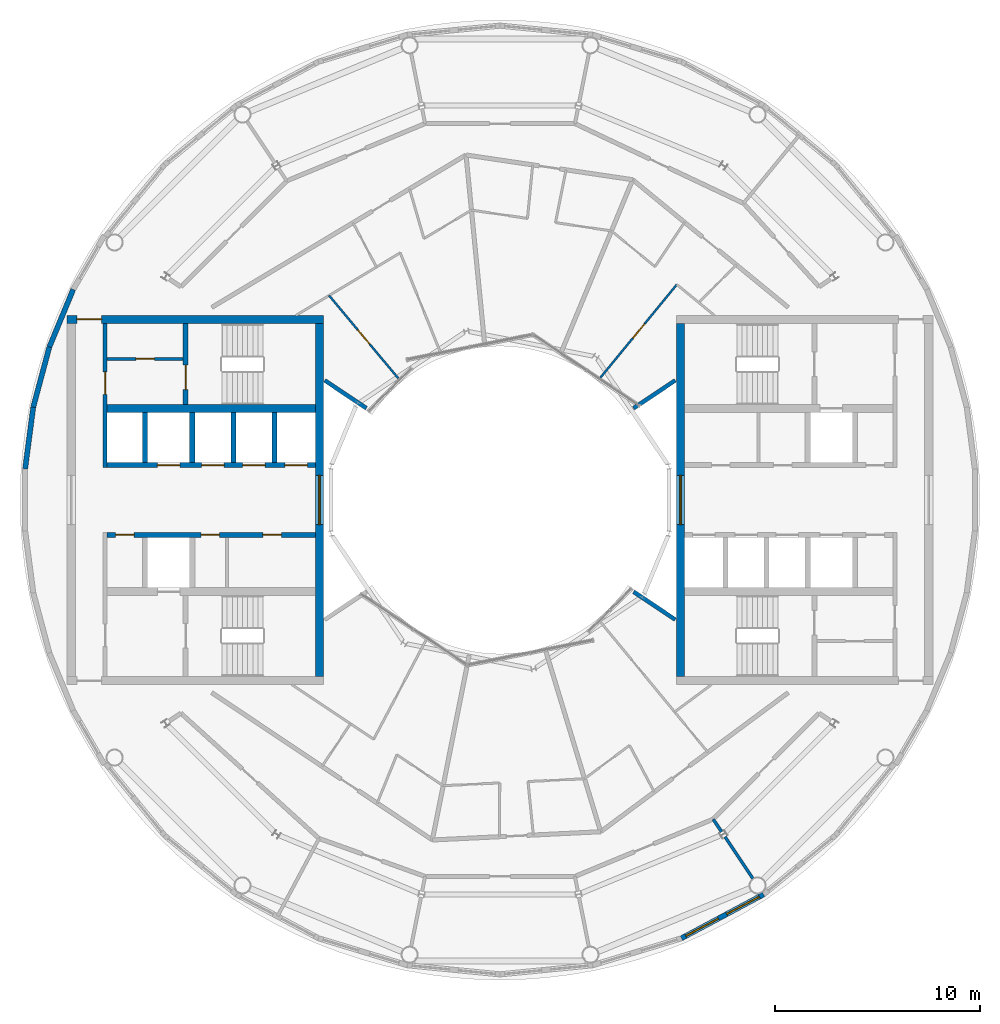
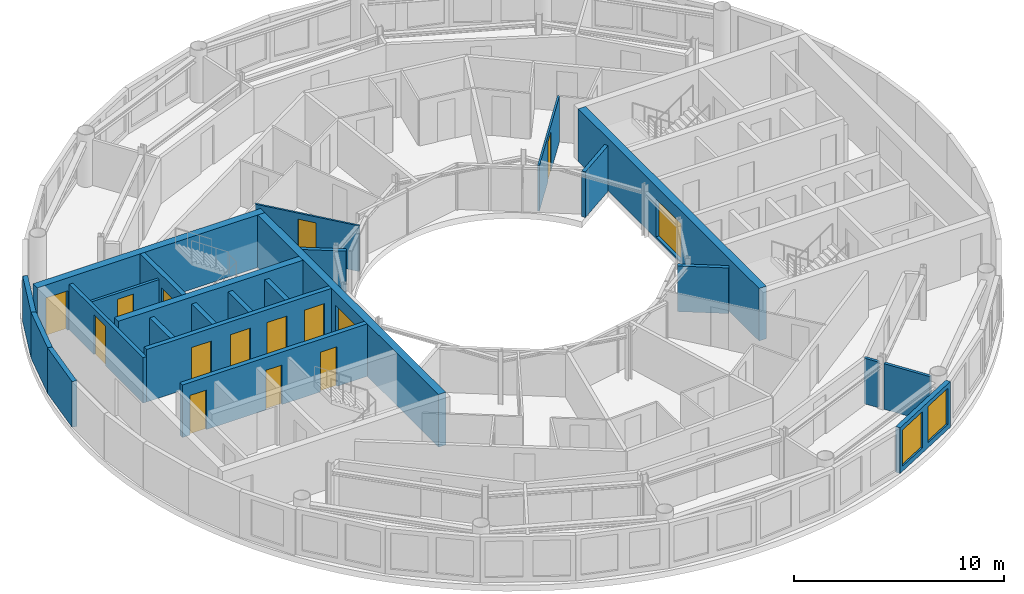
# One storey, part 10 of 17: 24 walls, 13 doors, 4 windows, 17 openings.
"""IFC4 building model written with IfcOpenShell, lengths in metres."""

from ifc_helpers import new_model, si_unit, direction, frame, frame_2d, origin, place, context, subcontext, project, spatial, rectangle, extrude, material, layer, layer_set, type_object, element, fill, save


model = new_model("IFC4")

# Units and contexts
model_context = context("Model", 3, precision=1e-05, world=origin(), true_north=direction((0.0, 1.0)))
body_context = subcontext(model_context, "Body", "Model", "MODEL_VIEW")
ifc_project = project(units=[si_unit("LENGTHUNIT", "METRE"), si_unit("AREAUNIT", "SQUARE_METRE"), si_unit("VOLUMEUNIT", "CUBIC_METRE"), si_unit("PLANEANGLEUNIT", "RADIAN"), si_unit("MASSUNIT", "GRAM", prefix="KILO")], contexts=[model_context])

# Site, building, storey
site_placement = place(None, origin())
site = spatial("IfcSite", under=ifc_project, at=site_placement, CompositionType="ELEMENT")
building_placement = place(site_placement, origin())
building = spatial("IfcBuilding", under=site, at=building_placement, Name="Maasbend Ring Residences", CompositionType="ELEMENT")
storey_placement = place(building_placement, frame((0.0, 0.0, 252.35009765625)))
storey = spatial("IfcBuildingStorey", under=building, at=storey_placement, Name="L73", CompositionType="ELEMENT", Elevation=252.35009765625)

# Wall, openings, doors
ifc_material_1 = material(Name="Concrete C50/60", Category="concrete")
ifc_layer_1 = layer(ifc_material_1, 0.25)
ifc_layer_set_1 = layer_set([ifc_layer_1], Name="Concrete C50/60")
wall_type_1 = type_object("IfcWallType", Name="CORE WALL 250 C50/60", PredefinedType="SHEAR", material=ifc_layer_set_1)
wall_1_placement = place(storey_placement, frame((-9.0, -1.699951171875, 0.0), z_axis=(0.0, 0.0, 1.0), x_axis=(-1.0, 0.0, 0.0)))
wall_1 = element("IfcWall", 1, at=wall_1_placement, inside=storey, type_object=wall_type_1, Name="L73 core W wall SPN", PredefinedType="SHEAR", context=body_context, shape_type="SweptSolid", body=[
    extrude(rectangle(XDim=10.14990234375, YDim=0.25, at=frame_2d((5.074951171875, 0.0))), origin(), (0.0, 0.0, 1.0), 3.0498046875),
])
opening_1_placement = place(wall_1_placement, frame((1.66259765625, 0.0, 0.0)))
opening_1 = element("IfcOpeningElement", 2, at=opening_1_placement, cuts=wall_1, Name="Opening D-W7306", PredefinedType="OPENING", context=body_context, shape_type="SweptSolid", body=[
    extrude(rectangle(XDim=0.89990234375, YDim=2.300048828125, at=frame_2d((0.449951171875, 1.14990234375))), frame((0.0, 0.135009765625, 0.0), z_axis=(0.0, -1.0, 0.0), x_axis=(1.0, 0.0, 0.0)), (0.0, 0.0, 1.0), 0.27001953125),
])
opening_2_placement = place(wall_1_placement, frame((4.675048828125, 0.0, 0.0)))
opening_2 = element("IfcOpeningElement", 3, at=opening_2_placement, cuts=wall_1, Name="Opening D-W7307", PredefinedType="OPENING", context=body_context, shape_type="SweptSolid", body=[
    extrude(rectangle(XDim=0.89990234375, YDim=2.300048828125, at=frame_2d((0.449951171875, 1.14990234375))), frame((0.0, 0.135009765625, 0.0), z_axis=(0.0, -1.0, 0.0), x_axis=(1.0, 0.0, 0.0)), (0.0, 0.0, 1.0), 0.27001953125),
])
opening_3_placement = place(wall_1_placement, frame((8.83740234375, 0.0, 0.0)))
opening_3 = element("IfcOpeningElement", 4, at=opening_3_placement, cuts=wall_1, Name="Opening D-W7308", PredefinedType="OPENING", context=body_context, shape_type="SweptSolid", body=[
    extrude(rectangle(XDim=0.89990234375, YDim=2.300048828125, at=frame_2d((0.449951171875, 1.14990234375))), frame((0.0, 0.135009765625, 0.0), z_axis=(0.0, -1.0, 0.0), x_axis=(1.0, 0.0, 0.0)), (0.0, 0.0, 1.0), 0.27001953125),
])
ifc_material_2 = material(Name="Steel, powder coated", Category="steel")
door_type_1 = type_object("IfcDoorType", Name="ROOM DOOR 900 X 2300 FD30S", OperationType="NOTDEFINED", PredefinedType="DOOR", material=ifc_material_2)
door_1_placement = place(opening_1_placement, origin())
door_1 = element("IfcDoor", 5, at=door_1_placement, inside=storey, type_object=door_type_1, Name="Room door L73", OperationType="SINGLE_SWING_RIGHT", OverallHeight=2.300048828125, OverallWidth=0.89990234375, PredefinedType="DOOR", context=body_context, shape_type="SweptSolid", body=[
    extrude(rectangle(XDim=0.89990234375, YDim=2.300048828125, at=frame_2d((0.449951171875, 1.14990234375))), frame((0.0, 0.02490234375, 0.0), z_axis=(0.0, -1.0, 0.0), x_axis=(1.0, 0.0, 0.0)), (0.0, 0.0, 1.0), 0.050048828125),
])
fill(opening_1, door_1)
door_2_placement = place(opening_2_placement, origin())
door_2 = element("IfcDoor", 6, at=door_2_placement, inside=storey, type_object=door_type_1, Name="Room door L73", OperationType="SINGLE_SWING_LEFT", OverallHeight=2.300048828125, OverallWidth=0.89990234375, PredefinedType="DOOR", context=body_context, shape_type="SweptSolid", body=[
    extrude(rectangle(XDim=0.89990234375, YDim=2.300048828125, at=frame_2d((0.449951171875, 1.14990234375))), frame((0.0, 0.02490234375, 0.0), z_axis=(0.0, -1.0, 0.0), x_axis=(1.0, 0.0, 0.0)), (0.0, 0.0, 1.0), 0.050048828125),
])
fill(opening_2, door_2)
door_3_placement = place(opening_3_placement, origin())
door_3 = element("IfcDoor", 7, at=door_3_placement, inside=storey, type_object=door_type_1, Name="Room door L73", OperationType="SINGLE_SWING_LEFT", OverallHeight=2.300048828125, OverallWidth=0.89990234375, PredefinedType="DOOR", context=body_context, shape_type="SweptSolid", body=[
    extrude(rectangle(XDim=0.89990234375, YDim=2.300048828125, at=frame_2d((0.449951171875, 1.14990234375))), frame((0.0, 0.02490234375, 0.0), z_axis=(0.0, -1.0, 0.0), x_axis=(1.0, 0.0, 0.0)), (0.0, 0.0, 1.0), 0.050048828125),
])
fill(opening_3, door_3)

wall_2_placement = place(storey_placement, frame((-9.0, 1.699951171875, 0.0), z_axis=(0.0, 0.0, 1.0), x_axis=(-1.0, 0.0, 0.0)))
wall_2 = element("IfcWall", 8, at=wall_2_placement, inside=storey, type_object=wall_type_1, Name="L73 core W wall SPS", PredefinedType="SHEAR", context=body_context, shape_type="SweptSolid", body=[
    extrude(rectangle(XDim=10.14990234375, YDim=0.25, at=frame_2d((5.074951171875, 0.0))), origin(), (0.0, 0.0, 1.0), 3.0498046875),
])
opening_4_placement = place(wall_2_placement, frame((0.387451171875, 0.0, 0.0)))
opening_4 = element("IfcOpeningElement", 9, at=opening_4_placement, cuts=wall_2, Name="Opening LD-W7302", PredefinedType="OPENING", context=body_context, shape_type="SweptSolid", body=[
    extrude(rectangle(XDim=1.10009765625, YDim=2.300048828125, at=frame_2d((0.550048828125, 1.14990234375))), frame((0.0, 0.135009765625, 0.0), z_axis=(0.0, -1.0, 0.0), x_axis=(1.0, 0.0, 0.0)), (0.0, 0.0, 1.0), 0.27001953125),
])
opening_5_placement = place(wall_2_placement, frame((2.449951171875, 0.0, 0.0)))
opening_5 = element("IfcOpeningElement", 10, at=opening_5_placement, cuts=wall_2, Name="Opening LD-W7303", PredefinedType="OPENING", context=body_context, shape_type="SweptSolid", body=[
    extrude(rectangle(XDim=1.10009765625, YDim=2.300048828125, at=frame_2d((0.550048828125, 1.14990234375))), frame((0.0, 0.135009765625, 0.0), z_axis=(0.0, -1.0, 0.0), x_axis=(1.0, 0.0, 0.0)), (0.0, 0.0, 1.0), 0.27001953125),
])
opening_6_placement = place(wall_2_placement, frame((4.449951171875, 0.0, 0.0)))
opening_6 = element("IfcOpeningElement", 11, at=opening_6_placement, cuts=wall_2, Name="Opening LD-W7304", PredefinedType="OPENING", context=body_context, shape_type="SweptSolid", body=[
    extrude(rectangle(XDim=1.10009765625, YDim=2.300048828125, at=frame_2d((0.550048828125, 1.14990234375))), frame((0.0, 0.135009765625, 0.0), z_axis=(0.0, -1.0, 0.0), x_axis=(1.0, 0.0, 0.0)), (0.0, 0.0, 1.0), 0.27001953125),
])
opening_7_placement = place(wall_2_placement, frame((6.60009765625, 0.0, 0.0)))
opening_7 = element("IfcOpeningElement", 12, at=opening_7_placement, cuts=wall_2, Name="Opening LD-W7305", PredefinedType="OPENING", context=body_context, shape_type="SweptSolid", body=[
    extrude(rectangle(XDim=1.10009765625, YDim=2.300048828125, at=frame_2d((0.550048828125, 1.14990234375))), frame((0.0, 0.135009765625, 0.0), z_axis=(0.0, -1.0, 0.0), x_axis=(1.0, 0.0, 0.0)), (0.0, 0.0, 1.0), 0.27001953125),
])
ifc_material_3 = material(Name="Stainless steel 316", Category="steel")
door_type_2 = type_object("IfcDoorType", Name="LANDING DOOR 1100 X 2300 FD60", OperationType="DOUBLE_DOOR_SLIDING", PredefinedType="DOOR", material=ifc_material_3)
door_4_placement = place(opening_4_placement, origin())
door_4 = element("IfcDoor", 13, at=door_4_placement, inside=storey, type_object=door_type_2, Name="Landing door HR-W1 L73", OperationType="DOUBLE_DOOR_SLIDING", OverallHeight=2.300048828125, OverallWidth=1.10009765625, PredefinedType="DOOR", context=body_context, shape_type="SweptSolid", body=[
    extrude(rectangle(XDim=1.10009765625, YDim=2.300048828125, at=frame_2d((0.550048828125, 1.14990234375))), frame((0.0, 0.02490234375, 0.0), z_axis=(0.0, -1.0, 0.0), x_axis=(1.0, 0.0, 0.0)), (0.0, 0.0, 1.0), 0.050048828125),
])
fill(opening_4, door_4)
door_5_placement = place(opening_5_placement, origin())
door_5 = element("IfcDoor", 14, at=door_5_placement, inside=storey, type_object=door_type_2, Name="Landing door HR-W2 L73", OperationType="DOUBLE_DOOR_SLIDING", OverallHeight=2.300048828125, OverallWidth=1.10009765625, PredefinedType="DOOR", context=body_context, shape_type="SweptSolid", body=[
    extrude(rectangle(XDim=1.10009765625, YDim=2.300048828125, at=frame_2d((0.550048828125, 1.14990234375))), frame((0.0, 0.02490234375, 0.0), z_axis=(0.0, -1.0, 0.0), x_axis=(1.0, 0.0, 0.0)), (0.0, 0.0, 1.0), 0.050048828125),
])
fill(opening_5, door_5)
door_6_placement = place(opening_6_placement, origin())
door_6 = element("IfcDoor", 15, at=door_6_placement, inside=storey, type_object=door_type_2, Name="Landing door HR-W3 L73", OperationType="DOUBLE_DOOR_SLIDING", OverallHeight=2.300048828125, OverallWidth=1.10009765625, PredefinedType="DOOR", context=body_context, shape_type="SweptSolid", body=[
    extrude(rectangle(XDim=1.10009765625, YDim=2.300048828125, at=frame_2d((0.550048828125, 1.14990234375))), frame((0.0, 0.02490234375, 0.0), z_axis=(0.0, -1.0, 0.0), x_axis=(1.0, 0.0, 0.0)), (0.0, 0.0, 1.0), 0.050048828125),
])
fill(opening_6, door_6)
door_7_placement = place(opening_7_placement, origin())
door_7 = element("IfcDoor", 16, at=door_7_placement, inside=storey, type_object=door_type_2, Name="Landing door SV-W L73", OperationType="DOUBLE_DOOR_SLIDING", OverallHeight=2.300048828125, OverallWidth=1.10009765625, PredefinedType="DOOR", context=body_context, shape_type="SweptSolid", body=[
    extrude(rectangle(XDim=1.10009765625, YDim=2.300048828125, at=frame_2d((0.550048828125, 1.14990234375))), frame((0.0, 0.02490234375, 0.0), z_axis=(0.0, -1.0, 0.0), x_axis=(1.0, 0.0, 0.0)), (0.0, 0.0, 1.0), 0.050048828125),
])
fill(opening_7, door_7)

# Wall, opening, door
wall_3_placement = place(storey_placement, frame((-15.324951171875, 8.60009765625, 0.0), z_axis=(0.0, 0.0, 1.0), x_axis=(0.0, -1.0, 0.0)))
wall_3 = element("IfcWall", 17, at=wall_3_placement, inside=storey, type_object=wall_type_1, Name="L73 core W wall STES", PredefinedType="SHEAR", context=body_context, shape_type="SweptSolid", body=[
    extrude(rectangle(XDim=3.9501953125, YDim=0.25, at=frame_2d((1.97509765625, 0.0))), origin(), (0.0, 0.0, 1.0), 3.0498046875),
])
opening_8_placement = place(wall_3_placement, frame((2.02490234375, 0.0, 0.0)))
opening_8 = element("IfcOpeningElement", 18, at=opening_8_placement, cuts=wall_3, Name="Opening D-W7311", PredefinedType="OPENING", context=body_context, shape_type="SweptSolid", body=[
    extrude(rectangle(XDim=1.199951171875, YDim=2.300048828125, at=frame_2d((0.60009765625, 1.14990234375))), frame((0.0, 0.135009765625, 0.0), z_axis=(0.0, -1.0, 0.0), x_axis=(1.0, 0.0, 0.0)), (0.0, 0.0, 1.0), 0.27001953125),
])
ifc_material_4 = material(Name="Steel, powder coated", Category="steel")
door_type_3 = type_object("IfcDoorType", Name="STAIR DOOR 1200 X 2300 FD60", OperationType="NOTDEFINED", PredefinedType="DOOR", material=ifc_material_4)
door_8_placement = place(opening_8_placement, origin())
door_8 = element("IfcDoor", 19, at=door_8_placement, inside=storey, type_object=door_type_3, Name="Stair door ST-W L73", OperationType="SINGLE_SWING_LEFT", OverallHeight=2.300048828125, OverallWidth=1.199951171875, PredefinedType="DOOR", context=body_context, shape_type="SweptSolid", body=[
    extrude(rectangle(XDim=1.199951171875, YDim=2.300048828125, at=frame_2d((0.60009765625, 1.14990234375))), frame((0.0, 0.02490234375, 0.0), z_axis=(0.0, -1.0, 0.0), x_axis=(1.0, 0.0, 0.0)), (0.0, 0.0, 1.0), 0.050048828125),
])
fill(opening_8, door_8)

# Wall
ifc_material_5 = material(Name="Concrete C50/60", Category="concrete")
ifc_layer_2 = layer(ifc_material_5, 0.375)
ifc_layer_set_2 = layer_set([ifc_layer_2], Name="Concrete C50/60")
wall_type_2 = type_object("IfcWallType", Name="CORE WALL 375 C50/60", PredefinedType="SHEAR", material=ifc_layer_set_2)
wall_4_placement = place(storey_placement, frame((-9.0, 4.46240234375, 0.0), z_axis=(0.0, 0.0, 1.0), x_axis=(-1.0, 0.0, 0.0)))
element("IfcWall", 20, at=wall_4_placement, inside=storey, type_object=wall_type_2, Name="L73 core W wall BS", PredefinedType="SHEAR", context=body_context, shape_type="SweptSolid", body=[
    extrude(rectangle(XDim=10.14990234375, YDim=0.375, at=frame_2d((5.074951171875, 0.0))), origin(), (0.0, 0.0, 1.0), 3.0498046875),
])

# Wall, opening, window
ifc_material_6 = material(Name="Concrete C50/60", Category="concrete")
ifc_layer_3 = layer(ifc_material_6, 0.39990234375)
ifc_layer_set_3 = layer_set([ifc_layer_3], Name="Concrete C50/60")
wall_type_3 = type_object("IfcWallType", Name="CORE WALL 400 C50/60", PredefinedType="SHEAR", material=ifc_layer_set_3)
wall_5_placement = place(storey_placement, frame((8.800048828125, -8.60009765625, 0.0), z_axis=(0.0, 0.0, 1.0), x_axis=(0.0, 1.0, 0.0)))
wall_5 = element("IfcWall", 21, at=wall_5_placement, inside=storey, type_object=wall_type_3, Name="L73 core E wall PIN", PredefinedType="SHEAR", context=body_context, shape_type="SweptSolid", body=[
    extrude(rectangle(XDim=17.2001953125, YDim=0.39990234375, at=frame_2d((8.60009765625, 0.0))), origin(), (0.0, 0.0, 1.0), 3.0498046875),
])
opening_9_placement = place(wall_5_placement, frame((7.39990234375, 0.0, 0.10009765625)))
opening_9 = element("IfcOpeningElement", 22, at=opening_9_placement, cuts=wall_5, Name="Opening W-E7301", PredefinedType="OPENING", context=body_context, shape_type="SweptSolid", body=[
    extrude(rectangle(XDim=2.39990234375, YDim=2.199951171875, at=frame_2d((1.199951171875, 1.10009765625))), frame((0.0, 0.2099609375, 0.0), z_axis=(0.0, -1.0, 0.0), x_axis=(1.0, 0.0, 0.0)), (0.0, 0.0, 1.0), 0.419921875),
])
ifc_material_7 = material(Name="Aluminium frame and clear glass", Category="aluminium")
window_type_1 = type_object("IfcWindowType", Name="FIXED WINDOW 2400 X 2200", PartitioningType="SINGLE_PANEL", PredefinedType="WINDOW", material=ifc_material_7)
window_1_placement = place(opening_9_placement, origin())
window_1 = element("IfcWindow", 23, at=window_1_placement, inside=storey, type_object=window_type_1, Name="Lobby window L73", OverallHeight=2.199951171875, OverallWidth=2.39990234375, PartitioningType="SINGLE_PANEL", PredefinedType="WINDOW", context=body_context, shape_type="SweptSolid", body=[
    extrude(rectangle(XDim=2.39990234375, YDim=2.199951171875, at=frame_2d((1.199951171875, 1.10009765625))), frame((0.0, 0.030029296875, 0.0), z_axis=(0.0, -1.0, 0.0), x_axis=(1.0, 0.0, 0.0)), (0.0, 0.0, 1.0), 0.06005859375),
])
fill(opening_9, window_1)

# Wall, opening, door
wall_6_placement = place(storey_placement, frame((-8.60009765625, 8.800048828125, 0.0), z_axis=(0.0, 0.0, 1.0), x_axis=(-1.0, 0.0, 0.0)))
wall_6 = element("IfcWall", 24, at=wall_6_placement, inside=storey, type_object=wall_type_3, Name="L73 core W wall PS", PredefinedType="SHEAR", context=body_context, shape_type="SweptSolid", body=[
    extrude(rectangle(XDim=12.5, YDim=0.39990234375, at=frame_2d((6.25, 0.0))), origin(), (0.0, 0.0, 1.0), 3.0498046875),
])
opening_10_placement = place(wall_6_placement, frame((10.824951171875, 0.0, 0.0)))
opening_10 = element("IfcOpeningElement", 25, at=opening_10_placement, cuts=wall_6, Name="Opening D-W7315", PredefinedType="OPENING", context=body_context, shape_type="SweptSolid", body=[
    extrude(rectangle(XDim=1.199951171875, YDim=2.300048828125, at=frame_2d((0.60009765625, 1.14990234375))), frame((0.0, 0.2099609375, 0.0), z_axis=(0.0, -1.0, 0.0), x_axis=(1.0, 0.0, 0.0)), (0.0, 0.0, 1.0), 0.419921875),
])
ifc_material_8 = material(Name="Steel, powder coated", Category="steel")
door_type_4 = type_object("IfcDoorType", Name="CORRIDOR DOOR 1200 X 2300 FD30S", OperationType="NOTDEFINED", PredefinedType="DOOR", material=ifc_material_8)
door_9_placement = place(opening_10_placement, origin())
door_9 = element("IfcDoor", 26, at=door_9_placement, inside=storey, type_object=door_type_4, Name="Corridor door L73", OperationType="SINGLE_SWING_LEFT", OverallHeight=2.300048828125, OverallWidth=1.199951171875, PredefinedType="DOOR", context=body_context, shape_type="SweptSolid", body=[
    extrude(rectangle(XDim=1.199951171875, YDim=2.300048828125, at=frame_2d((0.60009765625, 1.14990234375))), frame((0.0, 0.02490234375, 0.0), z_axis=(0.0, -1.0, 0.0), x_axis=(1.0, 0.0, 0.0)), (0.0, 0.0, 1.0), 0.050048828125),
])
fill(opening_10, door_9)

# Wall, opening, window
wall_7_placement = place(storey_placement, frame((-8.800048828125, 8.60009765625, 0.0), z_axis=(0.0, 0.0, 1.0), x_axis=(0.0, -1.0, 0.0)))
wall_7 = element("IfcWall", 27, at=wall_7_placement, inside=storey, type_object=wall_type_3, Name="L73 core W wall PIN", PredefinedType="SHEAR", context=body_context, shape_type="SweptSolid", body=[
    extrude(rectangle(XDim=17.2001953125, YDim=0.39990234375, at=frame_2d((8.60009765625, 0.0))), origin(), (0.0, 0.0, 1.0), 3.0498046875),
])
opening_11_placement = place(wall_7_placement, frame((7.39990234375, 0.0, 0.10009765625)))
opening_11 = element("IfcOpeningElement", 28, at=opening_11_placement, cuts=wall_7, Name="Opening W-W7301", PredefinedType="OPENING", context=body_context, shape_type="SweptSolid", body=[
    extrude(rectangle(XDim=2.39990234375, YDim=2.199951171875, at=frame_2d((1.199951171875, 1.10009765625))), frame((0.0, 0.2099609375, 0.0), z_axis=(0.0, -1.0, 0.0), x_axis=(1.0, 0.0, 0.0)), (0.0, 0.0, 1.0), 0.419921875),
])
window_2_placement = place(opening_11_placement, origin())
window_2 = element("IfcWindow", 29, at=window_2_placement, inside=storey, type_object=window_type_1, Name="Lobby window L73", OverallHeight=2.199951171875, OverallWidth=2.39990234375, PartitioningType="SINGLE_PANEL", PredefinedType="WINDOW", context=body_context, shape_type="SweptSolid", body=[
    extrude(rectangle(XDim=2.39990234375, YDim=2.199951171875, at=frame_2d((1.199951171875, 1.10009765625))), frame((0.0, 0.030029296875, 0.0), z_axis=(0.0, -1.0, 0.0), x_axis=(1.0, 0.0, 0.0)), (0.0, 0.0, 1.0), 0.06005859375),
])
fill(opening_11, window_2)

# Wall, openings, windows
ifc_material_9 = material(Name="Aluminium clad insulated panel", Category="aluminium")
ifc_layer_4 = layer(ifc_material_9, 0.25)
ifc_layer_set_4 = layer_set([ifc_layer_4], Name="EW-GL")
wall_type_4 = type_object("IfcWallType", Name="EW-GL", PredefinedType="SOLIDWALL", material=ifc_layer_set_4)
wall_8_placement = place(storey_placement, frame((8.85009765625, -21.364990234375, 0.0), z_axis=(0.0, 0.0, 1.0), x_axis=(0.881912752543, 0.471412660947, 0.0)))
wall_8 = element("IfcWall", 30, at=wall_8_placement, inside=storey, type_object=wall_type_4, Name="External wall S08", PredefinedType="SOLIDWALL", context=body_context, shape_type="SweptSolid", body=[
    extrude(rectangle(XDim=4.533203125, YDim=0.25, at=frame_2d((2.2666015625, 0.0))), origin(), (0.0, 0.0, 1.0), 2.64990234375),
])
opening_12_placement = place(wall_8_placement, frame((0.236083984375, 0.0, 0.300048828125)))
opening_12 = element("IfcOpeningElement", 31, at=opening_12_placement, cuts=wall_8, Name="Opening W-BX", PredefinedType="OPENING", context=body_context, shape_type="SweptSolid", body=[
    extrude(rectangle(XDim=1.800048828125, YDim=2.10009765625, at=frame_2d((0.89990234375, 1.050048828125))), frame((0.0, 0.135009765625, 0.0), z_axis=(0.0, -1.0, 0.0), x_axis=(1.0, 0.0, 0.0)), (0.0, 0.0, 1.0), 0.27001953125),
])
opening_13_placement = place(wall_8_placement, frame((2.497314453125, 0.0, 0.300048828125)))
opening_13 = element("IfcOpeningElement", 32, at=opening_13_placement, cuts=wall_8, Name="Opening W-BX", PredefinedType="OPENING", context=body_context, shape_type="SweptSolid", body=[
    extrude(rectangle(XDim=1.800048828125, YDim=2.10009765625, at=frame_2d((0.89990234375, 1.050048828125))), frame((0.0, 0.135009765625, 0.0), z_axis=(0.0, -1.0, 0.0), x_axis=(1.0, 0.0, 0.0)), (0.0, 0.0, 1.0), 0.27001953125),
])
ifc_material_10 = material(Name="Aluminium and clear glass", Category="aluminium")
window_type_2 = type_object("IfcWindowType", Name="W-BX", PartitioningType="DOUBLE_PANEL_VERTICAL", PredefinedType="WINDOW", material=ifc_material_10)
window_3_placement = place(opening_12_placement, origin())
window_3 = element("IfcWindow", 33, at=window_3_placement, inside=storey, type_object=window_type_2, Name="Window S15", OverallHeight=2.10009765625, OverallWidth=1.800048828125, PartitioningType="SINGLE_PANEL", PredefinedType="WINDOW", context=body_context, shape_type="SweptSolid", body=[
    extrude(rectangle(XDim=1.800048828125, YDim=2.10009765625, at=frame_2d((0.89990234375, 1.050048828125))), frame((0.0, 0.030029296875, 0.0), z_axis=(0.0, -1.0, 0.0), x_axis=(1.0, 0.0, 0.0)), (0.0, 0.0, 1.0), 0.06005859375),
])
fill(opening_12, window_3)
window_4_placement = place(opening_13_placement, origin())
window_4 = element("IfcWindow", 34, at=window_4_placement, inside=storey, type_object=window_type_2, Name="Window S16", OverallHeight=2.10009765625, OverallWidth=1.800048828125, PartitioningType="SINGLE_PANEL", PredefinedType="WINDOW", context=body_context, shape_type="SweptSolid", body=[
    extrude(rectangle(XDim=1.800048828125, YDim=2.10009765625, at=frame_2d((0.89990234375, 1.050048828125))), frame((0.0, 0.030029296875, 0.0), z_axis=(0.0, -1.0, 0.0), x_axis=(1.0, 0.0, 0.0)), (0.0, 0.0, 1.0), 0.06005859375),
])
fill(opening_13, window_4)

# Walls
ifc_material_11 = material(Name="Louvred aluminium panel", Category="aluminium")
ifc_layer_5 = layer(ifc_material_11, 0.25)
ifc_layer_set_5 = layer_set([ifc_layer_5], Name="EW-LV")
wall_type_5 = type_object("IfcWallType", Name="EW-LV", PredefinedType="SOLIDWALL", material=ifc_layer_set_5)
wall_9_placement = place(storey_placement, frame((-20.806884765625, 10.260986328125, 0.0), z_axis=(0.0, 0.0, 1.0), x_axis=(-0.382872724993, -0.923801102216, 0.0)))
element("IfcWall", 35, at=wall_9_placement, inside=storey, type_object=wall_type_5, Name="Horn wall 2.2", PredefinedType="SOLIDWALL", context=body_context, shape_type="SweptSolid", body=[
    extrude(rectangle(XDim=3.03515625, YDim=0.25, at=frame_2d((1.517578125, 0.0))), origin(), (0.0, 0.0, 1.0), 2.64990234375),
])
wall_10_placement = place(storey_placement, frame((-21.968994140625, 7.45703125, 0.0), z_axis=(0.0, 0.0, 1.0), x_axis=(-0.258669057101, -0.965966002972, 0.0)))
element("IfcWall", 36, at=wall_10_placement, inside=storey, type_object=wall_type_5, Name="Horn wall 2.3", PredefinedType="SOLIDWALL", context=body_context, shape_type="SweptSolid", body=[
    extrude(rectangle(XDim=3.034423828125, YDim=0.25, at=frame_2d((1.51708984375, 0.0))), origin(), (0.0, 0.0, 1.0), 2.64990234375),
])
wall_11_placement = place(storey_placement, frame((-22.75390625, 4.52587890625, 0.0), z_axis=(0.0, 0.0, 1.0), x_axis=(-0.130487809173, -0.991449913842, 0.0)))
element("IfcWall", 37, at=wall_11_placement, inside=storey, type_object=wall_type_5, Name="Horn wall 2.4", PredefinedType="SOLIDWALL", context=body_context, shape_type="SweptSolid", body=[
    extrude(rectangle(XDim=3.03466796875, YDim=0.25, at=frame_2d((1.517333984375, 0.0))), origin(), (0.0, 0.0, 1.0), 2.64990234375),
])

# Wall, opening, door
ifc_material_12 = material(Name="Gypsum board on steel studs", Category="steel")
ifc_layer_6 = layer(ifc_material_12, 0.10009765625)
ifc_layer_set_6 = layer_set([ifc_layer_6], Name="PARTITION 100 GYPSUM")
wall_type_6 = type_object("IfcWallType", Name="PARTITION 100 GYPSUM", PredefinedType="PARTITIONING", material=ifc_layer_set_6)
wall_12_placement = place(storey_placement, frame((-8.3349609375, 9.969970703125, 0.0), z_axis=(0.0, 0.0, 1.0), x_axis=(0.641376424834, -0.767226356213, 0.0)))
wall_12 = element("IfcWall", 38, at=wall_12_placement, inside=storey, type_object=wall_type_6, Name="U-L73-w023", PredefinedType="PARTITIONING", context=body_context, shape_type="SweptSolid", body=[
    extrude(rectangle(XDim=5.274658203125, YDim=0.10009765625, at=frame_2d((2.63720703125, 0.0))), origin(), (0.0, 0.0, 1.0), 2.64990234375),
])
opening_14_placement = place(wall_12_placement, frame((2.18701171875, 0.0, 0.0)))
opening_14 = element("IfcOpeningElement", 39, at=opening_14_placement, cuts=wall_12, Name="Opening D-7322", PredefinedType="OPENING", context=body_context, shape_type="SweptSolid", body=[
    extrude(rectangle(XDim=0.89990234375, YDim=2.300048828125, at=frame_2d((0.449951171875, 1.14990234375))), frame((0.0, 0.06005859375, 0.0), z_axis=(0.0, -1.0, 0.0), x_axis=(1.0, 0.0, 0.0)), (0.0, 0.0, 1.0), 0.1201171875),
])
ifc_material_13 = material(Name="Timber, painted", Category="wood")
door_type_5 = type_object("IfcDoorType", Name="INTERNAL DOOR 900 X 2300", OperationType="NOTDEFINED", PredefinedType="DOOR", material=ifc_material_13)
door_10_placement = place(opening_14_placement, origin())
door_10 = element("IfcDoor", 40, at=door_10_placement, inside=storey, type_object=door_type_5, Name="D-7322", OperationType="SINGLE_SWING_RIGHT", OverallHeight=2.300048828125, OverallWidth=0.89990234375, PredefinedType="DOOR", context=body_context, shape_type="SweptSolid", body=[
    extrude(rectangle(XDim=0.89990234375, YDim=2.300048828125, at=frame_2d((0.449951171875, 1.14990234375))), frame((0.0, 0.02490234375, 0.0), z_axis=(0.0, -1.0, 0.0), x_axis=(1.0, 0.0, 0.0)), (0.0, 0.0, 1.0), 0.050048828125),
])
fill(opening_14, door_10)

wall_13_placement = place(storey_placement, frame((4.89794921875, 5.968017578125, 0.0), z_axis=(0.0, 0.0, 1.0), x_axis=(0.634358693064, 0.773038840249, 0.0)))
wall_13 = element("IfcWall", 41, at=wall_13_placement, inside=storey, type_object=wall_type_6, Name="U-L73-w045", PredefinedType="PARTITIONING", context=body_context, shape_type="SweptSolid", body=[
    extrude(rectangle(XDim=5.86767578125, YDim=0.10009765625, at=frame_2d((2.933837890625, 0.0))), origin(), (0.0, 0.0, 1.0), 2.64990234375),
])
opening_15_placement = place(wall_13_placement, frame((2.48388671875, 0.0, 0.0)))
opening_15 = element("IfcOpeningElement", 42, at=opening_15_placement, cuts=wall_13, Name="Opening D-7314", PredefinedType="OPENING", context=body_context, shape_type="SweptSolid", body=[
    extrude(rectangle(XDim=0.89990234375, YDim=2.300048828125, at=frame_2d((0.449951171875, 1.14990234375))), frame((0.0, 0.06005859375, 0.0), z_axis=(0.0, -1.0, 0.0), x_axis=(1.0, 0.0, 0.0)), (0.0, 0.0, 1.0), 0.1201171875),
])
door_11_placement = place(opening_15_placement, origin())
door_11 = element("IfcDoor", 43, at=door_11_placement, inside=storey, type_object=door_type_5, Name="D-7314", OperationType="SINGLE_SWING_RIGHT", OverallHeight=2.300048828125, OverallWidth=0.89990234375, PredefinedType="DOOR", context=body_context, shape_type="SweptSolid", body=[
    extrude(rectangle(XDim=0.89990234375, YDim=2.300048828125, at=frame_2d((0.449951171875, 1.14990234375))), frame((0.0, 0.02490234375, 0.0), z_axis=(0.0, -1.0, 0.0), x_axis=(1.0, 0.0, 0.0)), (0.0, 0.0, 1.0), 0.050048828125),
])
fill(opening_15, door_11)

ifc_material_14 = material(Name="Gypsum board on steel studs", Category="steel")
ifc_layer_7 = layer(ifc_material_14, 0.14990234375)
ifc_layer_set_7 = layer_set([ifc_layer_7], Name="PARTITION 150 EI 60")
wall_type_7 = type_object("IfcWallType", Name="PARTITION 150 EI 60", PredefinedType="PARTITIONING", material=ifc_layer_set_7)
wall_14_placement = place(storey_placement, frame((-15.449951171875, 6.875, 0.0), z_axis=(0.0, 0.0, 1.0), x_axis=(-1.0, 0.0, 0.0)))
wall_14 = element("IfcWall", 44, at=wall_14_placement, inside=storey, type_object=wall_type_7, Name="L73 core W wall RHS", PredefinedType="PARTITIONING", context=body_context, shape_type="SweptSolid", body=[
    extrude(rectangle(XDim=3.699951171875, YDim=0.14990234375, at=frame_2d((1.85009765625, 0.0))), origin(), (0.0, 0.0, 1.0), 2.64990234375),
])
opening_16_placement = place(wall_14_placement, frame((1.39990234375, 0.0, 0.0)))
opening_16 = element("IfcOpeningElement", 45, at=opening_16_placement, cuts=wall_14, Name="Opening D-W7309", PredefinedType="OPENING", context=body_context, shape_type="SweptSolid", body=[
    extrude(rectangle(XDim=0.89990234375, YDim=2.300048828125, at=frame_2d((0.449951171875, 1.14990234375))), frame((0.0, 0.0849609375, 0.0), z_axis=(0.0, -1.0, 0.0), x_axis=(1.0, 0.0, 0.0)), (0.0, 0.0, 1.0), 0.169921875),
])
ifc_material_15 = material(Name="Steel, powder coated", Category="steel")
door_type_6 = type_object("IfcDoorType", Name="RISER DOOR 900 X 2300 FD60", OperationType="NOTDEFINED", PredefinedType="DOOR", material=ifc_material_15)
door_12_placement = place(opening_16_placement, origin())
door_12 = element("IfcDoor", 46, at=door_12_placement, inside=storey, type_object=door_type_6, Name="Riser door L73", OperationType="SINGLE_SWING_LEFT", OverallHeight=2.300048828125, OverallWidth=0.89990234375, PredefinedType="DOOR", context=body_context, shape_type="SweptSolid", body=[
    extrude(rectangle(XDim=0.89990234375, YDim=2.300048828125, at=frame_2d((0.449951171875, 1.14990234375))), frame((0.0, 0.02490234375, 0.0), z_axis=(0.0, -1.0, 0.0), x_axis=(1.0, 0.0, 0.0)), (0.0, 0.0, 1.0), 0.050048828125),
])
fill(opening_16, door_12)

# Walls
ifc_material_16 = material(Name="Gypsum board on steel studs", Category="steel")
ifc_layer_8 = layer(ifc_material_16, 0.14990234375)
ifc_layer_set_8 = layer_set([ifc_layer_8], Name="PARTITION 150 GYPSUM")
wall_type_8 = type_object("IfcWallType", Name="PARTITION 150 GYPSUM", PredefinedType="PARTITIONING", material=ifc_layer_set_8)
wall_15_placement = place(storey_placement, frame((10.39208984375, -15.55908203125, 0.0), z_axis=(0.0, 0.0, 1.0), x_axis=(0.555537830231, -0.831491262241, 0.0)))
element("IfcWall", 47, at=wall_15_placement, inside=storey, type_object=wall_type_8, Name="U-L73-w050", PredefinedType="PARTITIONING", context=body_context, shape_type="SweptSolid", body=[
    extrude(rectangle(XDim=0.739501953125, YDim=0.14990234375, at=frame_2d((0.36962890625, 0.0))), origin(), (0.0, 0.0, 1.0), 2.64990234375),
])
wall_16_placement = place(storey_placement, frame((10.969970703125, -16.423095703125, 0.0), z_axis=(0.0, 0.0, 1.0), x_axis=(0.555504160879, -0.831513756498, 0.0)))
element("IfcWall", 48, at=wall_16_placement, inside=storey, type_object=wall_type_8, Name="U-L73-w051", PredefinedType="PARTITIONING", context=body_context, shape_type="SweptSolid", body=[
    extrude(rectangle(XDim=2.451904296875, YDim=0.14990234375, at=frame_2d((1.22607421875, 0.0))), origin(), (0.0, 0.0, 1.0), 2.64990234375),
])
ifc_material_17 = material(Name="Concrete C30/37", Category="concrete")
ifc_layer_9 = layer(ifc_material_17, 0.199951171875)
ifc_layer_set_9 = layer_set([ifc_layer_9], Name="Concrete C30/37")
wall_type_9 = type_object("IfcWallType", Name="PARTY WALL 200 CONCRETE", PredefinedType="PARTITIONING", material=ifc_layer_set_9)
for number, where, z_axis, x_axis, name in (
    (49, (6.512939453125, -4.471923828125, 0.0), (0.0, 0.0, 1.0), (0.831450132577, -0.555599385382, 0.0), "U-L73-w016"),
    (50, (-6.512939453125, 4.471923828125, 0.0), (0.0, 0.0, 1.0), (-0.831450132577, 0.555599385382, 0.0), "U-L73-w055"),
    (51, (6.512939453125, 4.471923828125, 0.0), (0.0, 0.0, 1.0), (0.831450132577, 0.555599385382, 0.0), "U-L73-w056"),
):
    element("IfcWall", number, at=place(storey_placement, frame(where, z_axis=z_axis, x_axis=x_axis)), inside=storey, type_object=wall_type_9, Name=name, PredefinedType="PARTITIONING", context=body_context, shape_type="SweptSolid", body=[
        extrude(rectangle(XDim=2.442626953125, YDim=0.199951171875, at=frame_2d((1.22119140625, 0.0))), origin(), (0.0, 0.0, 1.0), 2.64990234375),
    ])

# Wall, opening, door
ifc_material_18 = material(Name="Concrete C30/37", Category="concrete")
ifc_layer_10 = layer(ifc_material_18, 0.199951171875)
ifc_layer_set_10 = layer_set([ifc_layer_10], Name="Concrete C30/37")
wall_type_10 = type_object("IfcWallType", Name="SHAFT WALL 200 EI 120", PredefinedType="SOLIDWALL", material=ifc_layer_set_10)
wall_17_placement = place(storey_placement, frame((-19.25, 8.60009765625, 0.0), z_axis=(0.0, 0.0, 1.0), x_axis=(0.0, -1.0, 0.0)))
wall_17 = element("IfcWall", 52, at=wall_17_placement, inside=storey, type_object=wall_type_10, Name="L73 core W wall ENDS", PredefinedType="SOLIDWALL", context=body_context, shape_type="SweptSolid", body=[
    extrude(rectangle(XDim=7.025146484375, YDim=0.199951171875, at=frame_2d((3.5126953125, 0.0))), origin(), (0.0, 0.0, 1.0), 2.64990234375),
])
opening_17_placement = place(wall_17_placement, frame((2.35009765625, 0.0, 0.0)))
opening_17 = element("IfcOpeningElement", 53, at=opening_17_placement, cuts=wall_17, Name="Opening D-W7313", PredefinedType="OPENING", context=body_context, shape_type="SweptSolid", body=[
    extrude(rectangle(XDim=1.10009765625, YDim=2.300048828125, at=frame_2d((0.550048828125, 1.14990234375))), frame((0.0, 0.10986328125, 0.0), z_axis=(0.0, -1.0, 0.0), x_axis=(1.0, 0.0, 0.0)), (0.0, 0.0, 1.0), 0.219970703125),
])
ifc_material_19 = material(Name="Steel, powder coated", Category="steel")
door_type_7 = type_object("IfcDoorType", Name="LOBBY DOOR 1100 X 2300 FD60", OperationType="NOTDEFINED", PredefinedType="DOOR", material=ifc_material_19)
door_13_placement = place(opening_17_placement, origin())
door_13 = element("IfcDoor", 54, at=door_13_placement, inside=storey, type_object=door_type_7, Name="Lobby door L73", OperationType="SINGLE_SWING_RIGHT", OverallHeight=2.300048828125, OverallWidth=1.10009765625, PredefinedType="DOOR", context=body_context, shape_type="SweptSolid", body=[
    extrude(rectangle(XDim=1.10009765625, YDim=2.300048828125, at=frame_2d((0.550048828125, 1.14990234375))), frame((0.0, 0.02490234375, 0.0), z_axis=(0.0, -1.0, 0.0), x_axis=(1.0, 0.0, 0.0)), (0.0, 0.0, 1.0), 0.050048828125),
])
fill(opening_17, door_13)

# Walls
ifc_material_20 = material(Name="Concrete C30/37", Category="concrete")
ifc_layer_11 = layer(ifc_material_20, 0.25)
ifc_layer_set_11 = layer_set([ifc_layer_11], Name="Concrete C30/37")
wall_type_11 = type_object("IfcWallType", Name="SHAFT WALL 250 EI 120", PredefinedType="SOLIDWALL", material=ifc_layer_set_11)
for number, where, z_axis, x_axis, name in (
    (55, (-15.0, 1.824951171875, 0.0), (0.0, 0.0, 1.0), (0.0, 1.0, 0.0), "L73 core W wall D150S"),
    (56, (-17.300048828125, 1.824951171875, 0.0), (0.0, 0.0, 1.0), (0.0, 1.0, 0.0), "L73 core W wall D173S"),
    (57, (-11.0, 1.824951171875, 0.0), (0.0, 0.0, 1.0), (0.0, 1.0, 0.0), "L73 core W wall D110S"),
    (58, (-13.0, 1.824951171875, 0.0), (0.0, 0.0, 1.0), (0.0, 1.0, 0.0), "L73 core W wall D130S"),
):
    element("IfcWall", number, at=place(storey_placement, frame(where, z_axis=z_axis, x_axis=x_axis)), inside=storey, type_object=wall_type_11, Name=name, PredefinedType="SOLIDWALL", context=body_context, shape_type="SweptSolid", body=[
        extrude(rectangle(XDim=2.449951171875, YDim=0.25, at=frame_2d((1.22509765625, 0.0))), origin(), (0.0, 0.0, 1.0), 2.64990234375),
    ])

save(model, "model.ifc")
